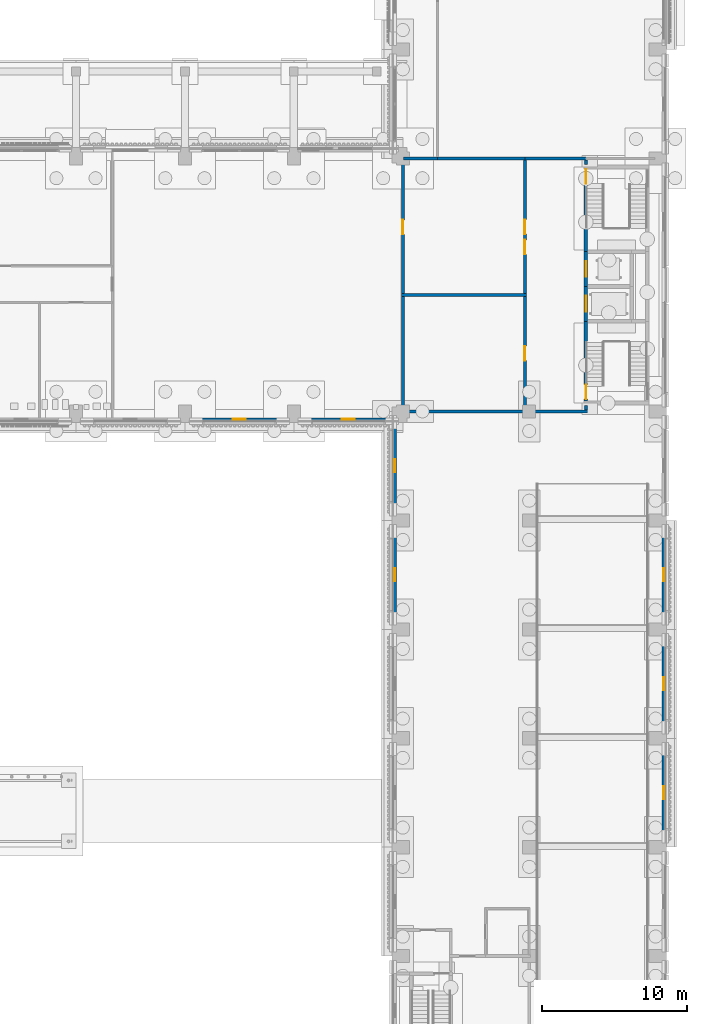
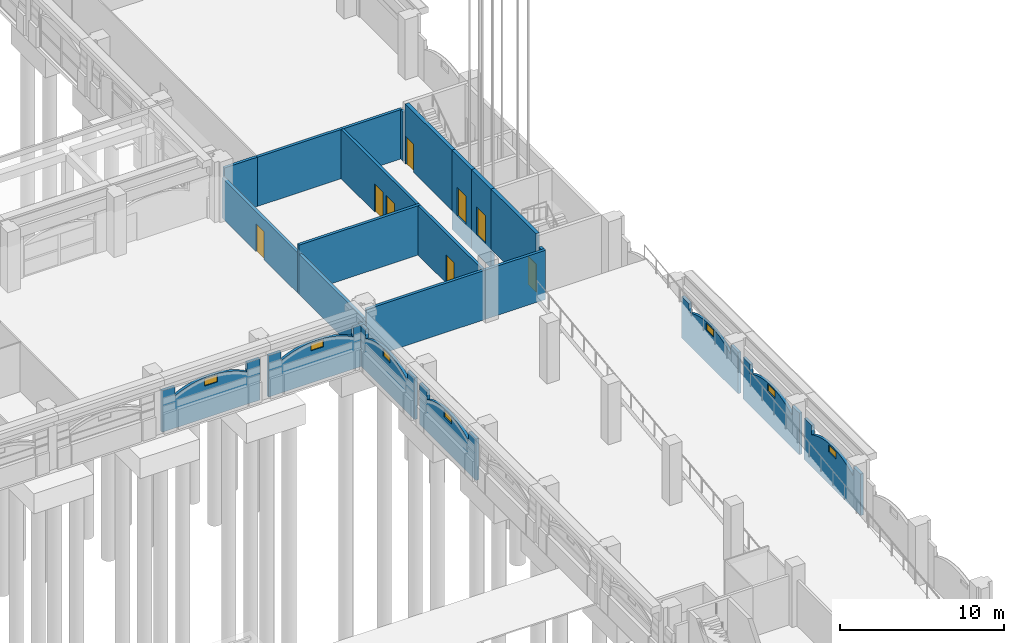
# One storey, part 42 of 99: 23 walls, 8 doors, 7 windows, 15 openings.
"""IFC4 building model written with IfcOpenShell, lengths in metres."""

from ifc_helpers import new_model, si_unit, direction, frame, frame_2d, origin, place, context, subcontext, project, spatial, polyline, rectangle, outline, extrude, material, layer, layer_set, type_object, element, fill, save


model = new_model("IFC4")

# Units and contexts
model_context = context("Model", 3, precision=1e-05, world=origin(), true_north=direction((0.0, 1.0)))
body_context = subcontext(model_context, "Body", "Model", "MODEL_VIEW")
ifc_project = project(units=[si_unit("LENGTHUNIT", "METRE"), si_unit("AREAUNIT", "SQUARE_METRE"), si_unit("VOLUMEUNIT", "CUBIC_METRE"), si_unit("PLANEANGLEUNIT", "RADIAN"), si_unit("MASSUNIT", "GRAM", prefix="KILO")], contexts=[model_context])

# Site, building, storey
site_placement = place(None, origin())
site = spatial("IfcSite", under=ifc_project, at=site_placement, CompositionType="ELEMENT")
building_placement = place(site_placement, origin())
building = spatial("IfcBuilding", under=site, at=building_placement, Name="Cour d'Honneur Mobility Palace", CompositionType="ELEMENT")
storey_placement = place(building_placement, origin())
storey = spatial("IfcBuildingStorey", under=building, at=storey_placement, Name="L00", CompositionType="ELEMENT", Elevation=0.0)

# Wall, opening, window
ifc_material_1 = material(Name="Concrete C40", Category="concrete")
ifc_layer_1 = layer(ifc_material_1, 0.199951171875)
ifc_layer_set_1 = layer_set([ifc_layer_1], Name="Concrete C40")
wall_type_1 = type_object("IfcWallType", Name="Arch infill panel", PredefinedType="SOLIDWALL", material=ifc_layer_set_1)
wall_1_placement = place(storey_placement, frame((130.199951171875, 44.449951171875, 0.0), z_axis=(0.0, 0.0, 1.0), x_axis=(1.0, 0.0, 0.0)))
wall_1 = element("IfcWall", 1, at=wall_1_placement, inside=storey, type_object=wall_type_1, Name="Arch infill panel IP-24", PredefinedType="SOLIDWALL", context=body_context, shape_type="SweptSolid", body=[
    extrude(outline(polyline([(0.0, 0.0), (6.900146484375, 0.0), (6.89990234375, 3.10009765625), (6.001953125, 3.10009765625), (6.0, 2.39990234375), (5.68115234375, 2.560302734375), (5.362548828125, 2.69482421875), (5.043701171875, 2.805908203125), (4.72509765625, 2.895263671875), (4.40625, 2.96337890625), (4.08740234375, 3.01171875), (3.768798828125, 3.04052734375), (3.449951171875, 3.050048828125), (3.13134765625, 3.04052734375), (2.8125, 3.01171875), (2.49365234375, 2.96337890625), (2.175048828125, 2.895263671875), (1.856201171875, 2.805908203125), (1.53759765625, 2.69482421875), (1.21875, 2.560302734375), (0.89990234375, 2.39990234375), (0.89794921875, 3.10009765625), (0.0, 3.10009765625), (0.0, 0.0)])), frame((0.0, 0.10009765625, 0.0), z_axis=(0.0, -1.0, 0.0), x_axis=(1.0, 0.0, 0.0)), (0.0, 0.0, 1.0), 0.199951171875),
])
opening_1_placement = place(wall_1_placement, frame((3.0, 0.0, 2.39990234375)))
opening_1 = element("IfcOpeningElement", 2, at=opening_1_placement, cuts=wall_1, Name="Opening WH-18", PredefinedType="OPENING", context=body_context, shape_type="SweptSolid", body=[
    extrude(rectangle(XDim=0.89990234375, YDim=0.531005859375, at=frame_2d((0.449951171875, 0.265625))), frame((0.0, 0.10986328125, 0.0), z_axis=(0.0, -1.0, 0.0), x_axis=(1.0, 0.0, 0.0)), (0.0, 0.0, 1.0), 0.219970703125),
])
ifc_material_2 = material(Name="Aluminium frame and glass", Category="aluminium")
window_type = type_object("IfcWindowType", Name="High-level window 531", PartitioningType="SINGLE_PANEL", PredefinedType="WINDOW", material=ifc_material_2)
window_1_placement = place(opening_1_placement, origin())
window_1 = element("IfcWindow", 3, at=window_1_placement, inside=storey, type_object=window_type, Name="High-level window 531 WH-18", OverallHeight=0.531005859375, OverallWidth=0.89990234375, PartitioningType="SINGLE_PANEL", PredefinedType="WINDOW", context=body_context, shape_type="SweptSolid", body=[
    extrude(rectangle(XDim=0.89990234375, YDim=0.531005859375, at=frame_2d((0.449951171875, 0.265625))), frame((0.0, 0.030029296875, 0.0), z_axis=(0.0, -1.0, 0.0), x_axis=(1.0, 0.0, 0.0)), (0.0, 0.0, 1.0), 0.06005859375),
])
fill(opening_1, window_1)

wall_2_placement = place(storey_placement, frame((137.699951171875, 44.449951171875, 0.0), z_axis=(0.0, 0.0, 1.0), x_axis=(1.0, 0.0, 0.0)))
wall_2 = element("IfcWall", 4, at=wall_2_placement, inside=storey, type_object=wall_type_1, Name="Arch infill panel IP-25", PredefinedType="SOLIDWALL", context=body_context, shape_type="SweptSolid", body=[
    extrude(outline(polyline([(0.0, 0.0), (6.900146484375, 0.0), (6.89990234375, 3.10009765625), (6.001953125, 3.10009765625), (6.0, 2.39990234375), (5.68115234375, 2.560302734375), (5.362548828125, 2.69482421875), (5.043701171875, 2.805908203125), (4.72509765625, 2.895263671875), (4.40625, 2.96337890625), (4.08740234375, 3.01171875), (3.768798828125, 3.04052734375), (3.449951171875, 3.050048828125), (3.13134765625, 3.04052734375), (2.8125, 3.01171875), (2.49365234375, 2.96337890625), (2.175048828125, 2.895263671875), (1.856201171875, 2.805908203125), (1.53759765625, 2.69482421875), (1.21875, 2.560302734375), (0.89990234375, 2.39990234375), (0.89794921875, 3.10009765625), (0.0, 3.10009765625), (0.0, 0.0)])), frame((0.0, 0.10009765625, 0.0), z_axis=(0.0, -1.0, 0.0), x_axis=(1.0, 0.0, 0.0)), (0.0, 0.0, 1.0), 0.199951171875),
])
opening_2_placement = place(wall_2_placement, frame((3.0, 0.0, 2.39990234375)))
opening_2 = element("IfcOpeningElement", 5, at=opening_2_placement, cuts=wall_2, Name="Opening WH-19", PredefinedType="OPENING", context=body_context, shape_type="SweptSolid", body=[
    extrude(rectangle(XDim=0.89990234375, YDim=0.531005859375, at=frame_2d((0.449951171875, 0.265625))), frame((0.0, 0.10986328125, 0.0), z_axis=(0.0, -1.0, 0.0), x_axis=(1.0, 0.0, 0.0)), (0.0, 0.0, 1.0), 0.219970703125),
])
window_2_placement = place(opening_2_placement, origin())
window_2 = element("IfcWindow", 6, at=window_2_placement, inside=storey, type_object=window_type, Name="High-level window 531 WH-19", OverallHeight=0.531005859375, OverallWidth=0.89990234375, PartitioningType="SINGLE_PANEL", PredefinedType="WINDOW", context=body_context, shape_type="SweptSolid", body=[
    extrude(rectangle(XDim=0.89990234375, YDim=0.531005859375, at=frame_2d((0.449951171875, 0.265625))), frame((0.0, 0.030029296875, 0.0), z_axis=(0.0, -1.0, 0.0), x_axis=(1.0, 0.0, 0.0)), (0.0, 0.0, 1.0), 0.06005859375),
])
fill(opening_2, window_2)

wall_3_placement = place(storey_placement, frame((144.35009765625, 44.699951171875, 0.0), z_axis=(0.0, 0.0, 1.0), x_axis=(0.0, -1.0, 0.0)))
wall_3 = element("IfcWall", 7, at=wall_3_placement, inside=storey, type_object=wall_type_1, Name="Arch infill panel IP-26", PredefinedType="SOLIDWALL", context=body_context, shape_type="SweptSolid", body=[
    extrude(outline(polyline([(0.0, 0.0), (6.89990234375, 0.0), (6.89990234375, 3.10009765625), (6.001953125, 3.10009765625), (6.0, 2.39990234375), (5.68115234375, 2.560302734375), (5.362548828125, 2.69482421875), (5.043701171875, 2.805908203125), (4.72509765625, 2.895263671875), (4.40625, 2.96337890625), (4.08740234375, 3.01171875), (3.768798828125, 3.04052734375), (3.449951171875, 3.050048828125), (3.13134765625, 3.04052734375), (2.8125, 3.01171875), (2.49365234375, 2.96337890625), (2.175048828125, 2.895263671875), (1.856201171875, 2.805908203125), (1.53759765625, 2.69482421875), (1.21875, 2.560302734375), (0.89990234375, 2.39990234375), (0.89794921875, 3.10009765625), (0.0, 3.10009765625), (0.0, 0.0)])), frame((0.0, 0.10009765625, 0.0), z_axis=(0.0, -1.0, 0.0), x_axis=(1.0, 0.0, 0.0)), (0.0, 0.0, 1.0), 0.199951171875),
])
opening_3_placement = place(wall_3_placement, frame((3.0, 0.0, 2.39990234375)))
opening_3 = element("IfcOpeningElement", 8, at=opening_3_placement, cuts=wall_3, Name="Opening WH-20", PredefinedType="OPENING", context=body_context, shape_type="SweptSolid", body=[
    extrude(rectangle(XDim=0.89990234375, YDim=0.531005859375, at=frame_2d((0.449951171875, 0.265625))), frame((0.0, 0.10986328125, 0.0), z_axis=(0.0, -1.0, 0.0), x_axis=(1.0, 0.0, 0.0)), (0.0, 0.0, 1.0), 0.219970703125),
])
window_3_placement = place(opening_3_placement, origin())
window_3 = element("IfcWindow", 9, at=window_3_placement, inside=storey, type_object=window_type, Name="High-level window 531 WH-20", OverallHeight=0.531005859375, OverallWidth=0.89990234375, PartitioningType="SINGLE_PANEL", PredefinedType="WINDOW", context=body_context, shape_type="SweptSolid", body=[
    extrude(rectangle(XDim=0.89990234375, YDim=0.531005859375, at=frame_2d((0.449951171875, 0.265625))), frame((0.0, 0.030029296875, 0.0), z_axis=(0.0, -1.0, 0.0), x_axis=(1.0, 0.0, 0.0)), (0.0, 0.0, 1.0), 0.06005859375),
])
fill(opening_3, window_3)

wall_4_placement = place(storey_placement, frame((144.35009765625, 37.199951171875, 0.0), z_axis=(0.0, 0.0, 1.0), x_axis=(0.0, -1.0, 0.0)))
wall_4 = element("IfcWall", 10, at=wall_4_placement, inside=storey, type_object=wall_type_1, Name="Arch infill panel IP-27", PredefinedType="SOLIDWALL", context=body_context, shape_type="SweptSolid", body=[
    extrude(outline(polyline([(0.0, 0.0), (6.89990234375, 0.0), (6.89990234375, 3.10009765625), (6.001953125, 3.10009765625), (6.0, 2.39990234375), (5.68115234375, 2.560302734375), (5.362548828125, 2.69482421875), (5.043701171875, 2.805908203125), (4.72509765625, 2.895263671875), (4.40625, 2.96337890625), (4.08740234375, 3.01171875), (3.768798828125, 3.04052734375), (3.449951171875, 3.050048828125), (3.13134765625, 3.04052734375), (2.8125, 3.01171875), (2.49365234375, 2.96337890625), (2.175048828125, 2.895263671875), (1.856201171875, 2.805908203125), (1.53759765625, 2.69482421875), (1.21875, 2.560302734375), (0.89990234375, 2.39990234375), (0.89794921875, 3.10009765625), (0.0, 3.10009765625), (0.0, 0.0)])), frame((0.0, 0.10009765625, 0.0), z_axis=(0.0, -1.0, 0.0), x_axis=(1.0, 0.0, 0.0)), (0.0, 0.0, 1.0), 0.199951171875),
])
opening_4_placement = place(wall_4_placement, frame((3.0, 0.0, 2.39990234375)))
opening_4 = element("IfcOpeningElement", 11, at=opening_4_placement, cuts=wall_4, Name="Opening WH-21", PredefinedType="OPENING", context=body_context, shape_type="SweptSolid", body=[
    extrude(rectangle(XDim=0.89990234375, YDim=0.531005859375, at=frame_2d((0.449951171875, 0.265625))), frame((0.0, 0.10986328125, 0.0), z_axis=(0.0, -1.0, 0.0), x_axis=(1.0, 0.0, 0.0)), (0.0, 0.0, 1.0), 0.219970703125),
])
window_4_placement = place(opening_4_placement, origin())
window_4 = element("IfcWindow", 12, at=window_4_placement, inside=storey, type_object=window_type, Name="High-level window 531 WH-21", OverallHeight=0.531005859375, OverallWidth=0.89990234375, PartitioningType="SINGLE_PANEL", PredefinedType="WINDOW", context=body_context, shape_type="SweptSolid", body=[
    extrude(rectangle(XDim=0.89990234375, YDim=0.531005859375, at=frame_2d((0.449951171875, 0.265625))), frame((0.0, 0.030029296875, 0.0), z_axis=(0.0, -1.0, 0.0), x_axis=(1.0, 0.0, 0.0)), (0.0, 0.0, 1.0), 0.06005859375),
])
fill(opening_4, window_4)

wall_5_placement = place(storey_placement, frame((162.85009765625, 15.300048828125, 0.0), z_axis=(0.0, 0.0, 1.0), x_axis=(0.0, 1.0, 0.0)))
wall_5 = element("IfcWall", 13, at=wall_5_placement, inside=storey, type_object=wall_type_1, Name="Arch infill panel IP-36", PredefinedType="SOLIDWALL", context=body_context, shape_type="SweptSolid", body=[
    extrude(outline(polyline([(0.0, 0.0), (6.89990234375, 0.0), (6.89990234375, 3.10009765625), (6.001953125, 3.10009765625), (6.0, 2.39990234375), (5.68115234375, 2.560302734375), (5.362548828125, 2.69482421875), (5.043701171875, 2.805908203125), (4.72509765625, 2.895263671875), (4.40625, 2.96337890625), (4.08740234375, 3.01171875), (3.768798828125, 3.04052734375), (3.449951171875, 3.050048828125), (3.13134765625, 3.04052734375), (2.8125, 3.01171875), (2.49365234375, 2.96337890625), (2.175048828125, 2.895263671875), (1.856201171875, 2.805908203125), (1.53759765625, 2.69482421875), (1.21875, 2.560302734375), (0.89990234375, 2.39990234375), (0.89794921875, 3.10009765625), (0.0, 3.10009765625), (0.0, 0.0)])), frame((0.0, 0.10009765625, 0.0), z_axis=(0.0, -1.0, 0.0), x_axis=(1.0, 0.0, 0.0)), (0.0, 0.0, 1.0), 0.199951171875),
])
opening_5_placement = place(wall_5_placement, frame((3.0, 0.0, 2.39990234375)))
opening_5 = element("IfcOpeningElement", 14, at=opening_5_placement, cuts=wall_5, Name="Opening WH-28", PredefinedType="OPENING", context=body_context, shape_type="SweptSolid", body=[
    extrude(rectangle(XDim=0.89990234375, YDim=0.531005859375, at=frame_2d((0.449951171875, 0.265625))), frame((0.0, 0.10986328125, 0.0), z_axis=(0.0, -1.0, 0.0), x_axis=(1.0, 0.0, 0.0)), (0.0, 0.0, 1.0), 0.219970703125),
])
window_5_placement = place(opening_5_placement, origin())
window_5 = element("IfcWindow", 15, at=window_5_placement, inside=storey, type_object=window_type, Name="High-level window 531 WH-28", OverallHeight=0.531005859375, OverallWidth=0.89990234375, PartitioningType="SINGLE_PANEL", PredefinedType="WINDOW", context=body_context, shape_type="SweptSolid", body=[
    extrude(rectangle(XDim=0.89990234375, YDim=0.531005859375, at=frame_2d((0.449951171875, 0.265625))), frame((0.0, 0.030029296875, 0.0), z_axis=(0.0, -1.0, 0.0), x_axis=(1.0, 0.0, 0.0)), (0.0, 0.0, 1.0), 0.06005859375),
])
fill(opening_5, window_5)

wall_6_placement = place(storey_placement, frame((162.85009765625, 22.800048828125, 0.0), z_axis=(0.0, 0.0, 1.0), x_axis=(0.0, 1.0, 0.0)))
wall_6 = element("IfcWall", 16, at=wall_6_placement, inside=storey, type_object=wall_type_1, Name="Arch infill panel IP-37", PredefinedType="SOLIDWALL", context=body_context, shape_type="SweptSolid", body=[
    extrude(outline(polyline([(0.0, 0.0), (6.89990234375, 0.0), (6.89990234375, 3.10009765625), (6.001953125, 3.10009765625), (6.0, 2.39990234375), (5.68115234375, 2.560302734375), (5.362548828125, 2.69482421875), (5.043701171875, 2.805908203125), (4.72509765625, 2.895263671875), (4.40625, 2.96337890625), (4.08740234375, 3.01171875), (3.768798828125, 3.04052734375), (3.449951171875, 3.050048828125), (3.13134765625, 3.04052734375), (2.8125, 3.01171875), (2.49365234375, 2.96337890625), (2.175048828125, 2.895263671875), (1.856201171875, 2.805908203125), (1.53759765625, 2.69482421875), (1.21875, 2.560302734375), (0.89990234375, 2.39990234375), (0.89794921875, 3.10009765625), (0.0, 3.10009765625), (0.0, 0.0)])), frame((0.0, 0.10009765625, 0.0), z_axis=(0.0, -1.0, 0.0), x_axis=(1.0, 0.0, 0.0)), (0.0, 0.0, 1.0), 0.199951171875),
])
opening_6_placement = place(wall_6_placement, frame((3.0, 0.0, 2.39990234375)))
opening_6 = element("IfcOpeningElement", 17, at=opening_6_placement, cuts=wall_6, Name="Opening WH-29", PredefinedType="OPENING", context=body_context, shape_type="SweptSolid", body=[
    extrude(rectangle(XDim=0.89990234375, YDim=0.531005859375, at=frame_2d((0.449951171875, 0.265625))), frame((0.0, 0.10986328125, 0.0), z_axis=(0.0, -1.0, 0.0), x_axis=(1.0, 0.0, 0.0)), (0.0, 0.0, 1.0), 0.219970703125),
])
window_6_placement = place(opening_6_placement, origin())
window_6 = element("IfcWindow", 18, at=window_6_placement, inside=storey, type_object=window_type, Name="High-level window 531 WH-29", OverallHeight=0.531005859375, OverallWidth=0.89990234375, PartitioningType="SINGLE_PANEL", PredefinedType="WINDOW", context=body_context, shape_type="SweptSolid", body=[
    extrude(rectangle(XDim=0.89990234375, YDim=0.531005859375, at=frame_2d((0.449951171875, 0.265625))), frame((0.0, 0.030029296875, 0.0), z_axis=(0.0, -1.0, 0.0), x_axis=(1.0, 0.0, 0.0)), (0.0, 0.0, 1.0), 0.06005859375),
])
fill(opening_6, window_6)

wall_7_placement = place(storey_placement, frame((162.85009765625, 30.300048828125, 0.0), z_axis=(0.0, 0.0, 1.0), x_axis=(0.0, 1.0, 0.0)))
wall_7 = element("IfcWall", 19, at=wall_7_placement, inside=storey, type_object=wall_type_1, Name="Arch infill panel IP-38", PredefinedType="SOLIDWALL", context=body_context, shape_type="SweptSolid", body=[
    extrude(outline(polyline([(0.0, 0.0), (6.89990234375, 0.0), (6.89990234375, 3.10009765625), (6.001953125, 3.10009765625), (6.0, 2.39990234375), (5.68115234375, 2.560302734375), (5.362548828125, 2.69482421875), (5.043701171875, 2.805908203125), (4.72509765625, 2.895263671875), (4.40625, 2.96337890625), (4.08740234375, 3.01171875), (3.768798828125, 3.04052734375), (3.449951171875, 3.050048828125), (3.13134765625, 3.04052734375), (2.8125, 3.01171875), (2.49365234375, 2.96337890625), (2.175048828125, 2.895263671875), (1.856201171875, 2.805908203125), (1.53759765625, 2.69482421875), (1.21875, 2.560302734375), (0.89990234375, 2.39990234375), (0.89794921875, 3.10009765625), (0.0, 3.10009765625), (0.0, 0.0)])), frame((0.0, 0.10009765625, 0.0), z_axis=(0.0, -1.0, 0.0), x_axis=(1.0, 0.0, 0.0)), (0.0, 0.0, 1.0), 0.199951171875),
])
opening_7_placement = place(wall_7_placement, frame((3.0, 0.0, 2.39990234375)))
opening_7 = element("IfcOpeningElement", 20, at=opening_7_placement, cuts=wall_7, Name="Opening WH-30", PredefinedType="OPENING", context=body_context, shape_type="SweptSolid", body=[
    extrude(rectangle(XDim=0.89990234375, YDim=0.531005859375, at=frame_2d((0.449951171875, 0.265625))), frame((0.0, 0.10986328125, 0.0), z_axis=(0.0, -1.0, 0.0), x_axis=(1.0, 0.0, 0.0)), (0.0, 0.0, 1.0), 0.219970703125),
])
window_7_placement = place(opening_7_placement, origin())
window_7 = element("IfcWindow", 21, at=window_7_placement, inside=storey, type_object=window_type, Name="High-level window 531 WH-30", OverallHeight=0.531005859375, OverallWidth=0.89990234375, PartitioningType="SINGLE_PANEL", PredefinedType="WINDOW", context=body_context, shape_type="SweptSolid", body=[
    extrude(rectangle(XDim=0.89990234375, YDim=0.531005859375, at=frame_2d((0.449951171875, 0.265625))), frame((0.0, 0.030029296875, 0.0), z_axis=(0.0, -1.0, 0.0), x_axis=(1.0, 0.0, 0.0)), (0.0, 0.0, 1.0), 0.06005859375),
])
fill(opening_7, window_7)

# Wall, opening, door
ifc_material_3 = material(Name="Concrete C50", Category="concrete")
ifc_layer_2 = layer(ifc_material_3, 0.25)
ifc_layer_set_2 = layer_set([ifc_layer_2], Name="Concrete C50")
wall_type_2 = type_object("IfcWallType", Name="Lift shaft wall 250", PredefinedType="SHEAR", material=ifc_layer_set_2)
wall_8_placement = place(storey_placement, frame((157.5, 51.199951171875, -1.39990234375), z_axis=(0.0, 0.0, 1.0), x_axis=(0.0, 1.0, 0.0)))
wall_8 = element("IfcWall", 22, at=wall_8_placement, inside=storey, type_object=wall_type_2, Name="Lift shaft wall WL-CE9 L00", PredefinedType="SHEAR", context=body_context, shape_type="SweptSolid", body=[
    extrude(rectangle(XDim=2.400146484375, YDim=0.25, at=frame_2d((1.2001953125, 0.0))), origin(), (0.0, 0.0, 1.0), 5.89990234375),
])
opening_8_placement = place(wall_8_placement, frame((0.64990234375, 0.0, 1.39990234375)))
opening_8 = element("IfcOpeningElement", 23, at=opening_8_placement, cuts=wall_8, Name="Opening LD21", PredefinedType="OPENING", context=body_context, shape_type="SweptSolid", body=[
    extrude(rectangle(XDim=1.10009765625, YDim=2.10009765625, at=frame_2d((0.550048828125, 1.050048828125))), frame((0.0, 0.135009765625, 0.0), z_axis=(0.0, -1.0, 0.0), x_axis=(1.0, 0.0, 0.0)), (0.0, 0.0, 1.0), 0.27001953125),
])
ifc_material_4 = material(Name="Stainless steel", Category="steel")
door_type_1 = type_object("IfcDoorType", Name="Landing door 1100 x 2100", OperationType="SLIDING_TO_LEFT", PredefinedType="DOOR", material=ifc_material_4)
door_1_placement = place(opening_8_placement, origin())
door_1 = element("IfcDoor", 24, at=door_1_placement, inside=storey, type_object=door_type_1, Name="Landing door LF-CE1 L00", OperationType="SLIDING_TO_LEFT", OverallHeight=2.10009765625, OverallWidth=1.10009765625, PredefinedType="DOOR", context=body_context, shape_type="SweptSolid", body=[
    extrude(rectangle(XDim=1.10009765625, YDim=2.10009765625, at=frame_2d((0.550048828125, 1.050048828125))), frame((0.0, 0.02490234375, 0.0), z_axis=(0.0, -1.0, 0.0), x_axis=(1.0, 0.0, 0.0)), (0.0, 0.0, 1.0), 0.050048828125),
])
fill(opening_8, door_1)

wall_9_placement = place(storey_placement, frame((157.5, 53.60009765625, -1.39990234375), z_axis=(0.0, 0.0, 1.0), x_axis=(0.0, 1.0, 0.0)))
wall_9 = element("IfcWall", 25, at=wall_9_placement, inside=storey, type_object=wall_type_2, Name="Lift shaft wall WL-CE10 L00", PredefinedType="SHEAR", context=body_context, shape_type="SweptSolid", body=[
    extrude(rectangle(XDim=2.39990234375, YDim=0.25, at=frame_2d((1.199951171875, 0.0))), origin(), (0.0, 0.0, 1.0), 5.89990234375),
])
opening_9_placement = place(wall_9_placement, frame((0.64990234375, 0.0, 1.39990234375)))
opening_9 = element("IfcOpeningElement", 26, at=opening_9_placement, cuts=wall_9, Name="Opening LD31", PredefinedType="OPENING", context=body_context, shape_type="SweptSolid", body=[
    extrude(rectangle(XDim=1.10009765625, YDim=2.10009765625, at=frame_2d((0.550048828125, 1.050048828125))), frame((0.0, 0.135009765625, 0.0), z_axis=(0.0, -1.0, 0.0), x_axis=(1.0, 0.0, 0.0)), (0.0, 0.0, 1.0), 0.27001953125),
])
door_2_placement = place(opening_9_placement, origin())
door_2 = element("IfcDoor", 27, at=door_2_placement, inside=storey, type_object=door_type_1, Name="Landing door LF-CE2 L00", OperationType="SLIDING_TO_LEFT", OverallHeight=2.10009765625, OverallWidth=1.10009765625, PredefinedType="DOOR", context=body_context, shape_type="SweptSolid", body=[
    extrude(rectangle(XDim=1.10009765625, YDim=2.10009765625, at=frame_2d((0.550048828125, 1.050048828125))), frame((0.0, 0.02490234375, 0.0), z_axis=(0.0, -1.0, 0.0), x_axis=(1.0, 0.0, 0.0)), (0.0, 0.0, 1.0), 0.050048828125),
])
fill(opening_9, door_2)

# Walls
ifc_material_5 = material(Name="Gypsum plasterboard")
ifc_layer_3 = layer(ifc_material_5, 0.199951171875)
ifc_layer_set_3 = layer_set([ifc_layer_3], Name="Gypsum plasterboard")
wall_type_3 = type_object("IfcWallType", Name="Partition 200 rated EI 120", PredefinedType="PARTITIONING", material=ifc_layer_set_3)
wall_10_placement = place(storey_placement, frame((144.9599609375, 45.0, 0.0), z_axis=(0.0, 0.0, 1.0), x_axis=(1.0, 0.0, 0.0)))
element("IfcWall", 28, at=wall_10_placement, inside=storey, type_object=wall_type_3, Name="Partition 026", PredefinedType="PARTITIONING", context=body_context, shape_type="SweptSolid", body=[
    extrude(rectangle(XDim=8.340087890625, YDim=0.199951171875, at=frame_2d((4.169921875, 0.0))), origin(), (0.0, 0.0, 1.0), 3.679931640625),
])
wall_11_placement = place(storey_placement, frame((153.300048828125, 45.0, 0.0), z_axis=(0.0, 0.0, 1.0), x_axis=(1.0, 0.0, 0.0)))
element("IfcWall", 29, at=wall_11_placement, inside=storey, type_object=wall_type_3, Name="Partition 027", PredefinedType="PARTITIONING", context=body_context, shape_type="SweptSolid", body=[
    extrude(rectangle(XDim=4.300048828125, YDim=0.199951171875, at=frame_2d((2.14990234375, 0.0))), origin(), (0.0, 0.0, 1.0), 3.679931640625),
])
wall_12_placement = place(storey_placement, frame((157.5, 45.10009765625, 0.0), z_axis=(0.0, 0.0, 1.0), x_axis=(0.0, 1.0, 0.0)))
element("IfcWall", 30, at=wall_12_placement, inside=storey, type_object=wall_type_3, Name="Partition 028", PredefinedType="PARTITIONING", context=body_context, shape_type="SweptSolid", body=[
    extrude(rectangle(XDim=0.2998046875, YDim=0.199951171875, at=frame_2d((0.14990234375, 0.0))), origin(), (0.0, 0.0, 1.0), 3.679931640625),
])

# Wall, opening, door
wall_13_placement = place(storey_placement, frame((153.300048828125, 52.89990234375, 0.0), z_axis=(0.0, 0.0, 1.0), x_axis=(0.0, -1.0, 0.0)))
wall_13 = element("IfcWall", 31, at=wall_13_placement, inside=storey, type_object=wall_type_3, Name="Partition 072", PredefinedType="PARTITIONING", context=body_context, shape_type="SweptSolid", body=[
    extrude(rectangle(XDim=7.7998046875, YDim=0.199951171875, at=frame_2d((3.89990234375, 0.0))), origin(), (0.0, 0.0, 1.0), 3.679931640625),
])
opening_10_placement = place(wall_13_placement, frame((3.39990234375, 0.0, 0.0)))
opening_10 = element("IfcOpeningElement", 32, at=opening_10_placement, cuts=wall_13, Name="Opening D0013", PredefinedType="OPENING", context=body_context, shape_type="SweptSolid", body=[
    extrude(rectangle(XDim=1.0, YDim=2.10009765625, at=frame_2d((0.5, 1.050048828125))), frame((0.0, 0.10986328125, 0.0), z_axis=(0.0, -1.0, 0.0), x_axis=(1.0, 0.0, 0.0)), (0.0, 0.0, 1.0), 0.219970703125),
])
ifc_material_6 = material(Name="Galvanised steel", Category="steel")
door_type_2 = type_object("IfcDoorType", Name="Fire door FD120 1000 x 2100", OperationType="SINGLE_SWING_LEFT", PredefinedType="DOOR", material=ifc_material_6)
door_3_placement = place(opening_10_placement, origin())
door_3 = element("IfcDoor", 33, at=door_3_placement, inside=storey, type_object=door_type_2, Name="Door Generator Room", OperationType="SINGLE_SWING_LEFT", OverallHeight=2.10009765625, OverallWidth=1.0, PredefinedType="DOOR", context=body_context, shape_type="SweptSolid", body=[
    extrude(rectangle(XDim=1.0, YDim=2.10009765625, at=frame_2d((0.5, 1.050048828125))), frame((0.0, 0.02490234375, 0.0), z_axis=(0.0, -1.0, 0.0), x_axis=(1.0, 0.0, 0.0)), (0.0, 0.0, 1.0), 0.050048828125),
])
fill(opening_10, door_3)

# Walls
wall_14_placement = place(storey_placement, frame((153.39990234375, 53.0, 0.0), z_axis=(0.0, 0.0, 1.0), x_axis=(-1.0, 0.0, 0.0)))
element("IfcWall", 34, at=wall_14_placement, inside=storey, type_object=wall_type_3, Name="Partition 073", PredefinedType="PARTITIONING", context=body_context, shape_type="SweptSolid", body=[
    extrude(rectangle(XDim=8.599853515625, YDim=0.199951171875, at=frame_2d((4.2998046875, 0.0))), origin(), (0.0, 0.0, 1.0), 3.679931640625),
])
wall_15_placement = place(storey_placement, frame((157.5, 62.0, 0.0), z_axis=(0.0, 0.0, 1.0), x_axis=(0.0, 1.0, 0.0)))
element("IfcWall", 35, at=wall_15_placement, inside=storey, type_object=wall_type_3, Name="Partition 085", PredefinedType="PARTITIONING", context=body_context, shape_type="SweptSolid", body=[
    extrude(rectangle(XDim=0.300048828125, YDim=0.199951171875, at=frame_2d((0.14990234375, 0.0))), origin(), (0.0, 0.0, 1.0), 3.679931640625),
])
wall_16_placement = place(storey_placement, frame((147.300048828125, 62.39990234375, 0.0), z_axis=(0.0, 0.0, 1.0), x_axis=(-1.0, 0.0, 0.0)))
element("IfcWall", 36, at=wall_16_placement, inside=storey, type_object=wall_type_3, Name="Partition 095", PredefinedType="PARTITIONING", context=body_context, shape_type="SweptSolid", body=[
    extrude(rectangle(XDim=2.340087890625, YDim=0.199951171875, at=frame_2d((1.169921875, 0.0))), origin(), (0.0, 0.0, 1.0), 3.679931640625),
])

# Wall, openings, doors
wall_17_placement = place(storey_placement, frame((153.300048828125, 62.300048828125, 0.0), z_axis=(0.0, 0.0, 1.0), x_axis=(0.0, -1.0, 0.0)))
wall_17 = element("IfcWall", 37, at=wall_17_placement, inside=storey, type_object=wall_type_3, Name="Partition 096", PredefinedType="PARTITIONING", context=body_context, shape_type="SweptSolid", body=[
    extrude(rectangle(XDim=9.199951171875, YDim=0.199951171875, at=frame_2d((4.60009765625, 0.0))), origin(), (0.0, 0.0, 1.0), 3.679931640625),
])
opening_11_placement = place(wall_17_placement, frame((4.10009765625, 0.0, 0.0)))
opening_11 = element("IfcOpeningElement", 38, at=opening_11_placement, cuts=wall_17, Name="Opening D0014", PredefinedType="OPENING", context=body_context, shape_type="SweptSolid", body=[
    extrude(rectangle(XDim=1.0, YDim=2.10009765625, at=frame_2d((0.5, 1.050048828125))), frame((0.0, 0.10986328125, 0.0), z_axis=(0.0, -1.0, 0.0), x_axis=(1.0, 0.0, 0.0)), (0.0, 0.0, 1.0), 0.219970703125),
])
opening_12_placement = place(wall_17_placement, frame((5.5, 0.0, 0.0)))
opening_12 = element("IfcOpeningElement", 39, at=opening_12_placement, cuts=wall_17, Name="Opening D0048", PredefinedType="OPENING", context=body_context, shape_type="SweptSolid", body=[
    extrude(rectangle(XDim=1.0, YDim=2.10009765625, at=frame_2d((0.5, 1.050048828125))), frame((0.0, 0.10986328125, 0.0), z_axis=(0.0, -1.0, 0.0), x_axis=(1.0, 0.0, 0.0)), (0.0, 0.0, 1.0), 0.219970703125),
])
door_4_placement = place(opening_11_placement, origin())
door_4 = element("IfcDoor", 40, at=door_4_placement, inside=storey, type_object=door_type_2, Name="Door Plant Room East", OperationType="SINGLE_SWING_LEFT", OverallHeight=2.10009765625, OverallWidth=1.0, PredefinedType="DOOR", context=body_context, shape_type="SweptSolid", body=[
    extrude(rectangle(XDim=1.0, YDim=2.10009765625, at=frame_2d((0.5, 1.050048828125))), frame((0.0, 0.02490234375, 0.0), z_axis=(0.0, -1.0, 0.0), x_axis=(1.0, 0.0, 0.0)), (0.0, 0.0, 1.0), 0.050048828125),
])
fill(opening_11, door_4)
door_5_placement = place(opening_12_placement, origin())
door_5 = element("IfcDoor", 41, at=door_5_placement, inside=storey, type_object=door_type_2, Name="Door Firefighting Lobby CE", OperationType="SINGLE_SWING_RIGHT", OverallHeight=2.10009765625, OverallWidth=1.0, PredefinedType="DOOR", context=body_context, shape_type="SweptSolid", body=[
    extrude(rectangle(XDim=1.0, YDim=2.10009765625, at=frame_2d((0.5, 1.050048828125))), frame((0.0, 0.02490234375, 0.0), z_axis=(0.0, -1.0, 0.0), x_axis=(1.0, 0.0, 0.0)), (0.0, 0.0, 1.0), 0.050048828125),
])
fill(opening_12, door_5)

# Walls
wall_18_placement = place(storey_placement, frame((153.300048828125, 62.39990234375, 0.0), z_axis=(0.0, 0.0, 1.0), x_axis=(-1.0, 0.0, 0.0)))
element("IfcWall", 42, at=wall_18_placement, inside=storey, type_object=wall_type_3, Name="Partition 097", PredefinedType="PARTITIONING", context=body_context, shape_type="SweptSolid", body=[
    extrude(rectangle(XDim=6.0, YDim=0.199951171875, at=frame_2d((3.0, 0.0))), origin(), (0.0, 0.0, 1.0), 3.679931640625),
])
wall_19_placement = place(storey_placement, frame((157.5, 62.39990234375, 0.0), z_axis=(0.0, 0.0, 1.0), x_axis=(-1.0, 0.0, 0.0)))
element("IfcWall", 43, at=wall_19_placement, inside=storey, type_object=wall_type_3, Name="Partition 098", PredefinedType="PARTITIONING", context=body_context, shape_type="SweptSolid", body=[
    extrude(rectangle(XDim=4.199951171875, YDim=0.199951171875, at=frame_2d((2.10009765625, 0.0))), origin(), (0.0, 0.0, 1.0), 3.679931640625),
])
ifc_material_7 = material(Name="Gypsum plasterboard")
ifc_layer_4 = layer(ifc_material_7, 0.199951171875)
ifc_layer_set_4 = layer_set([ifc_layer_4], Name="Gypsum plasterboard")
wall_type_4 = type_object("IfcWallType", Name="Partition 200 rated EI 120 under beam 1500", PredefinedType="PARTITIONING", material=ifc_layer_set_4)
wall_20_placement = place(storey_placement, frame((144.89990234375, 52.89990234375, 0.0), z_axis=(0.0, 0.0, 1.0), x_axis=(0.0, -1.0, 0.0)))
element("IfcWall", 44, at=wall_20_placement, inside=storey, type_object=wall_type_4, Name="Partition 071", PredefinedType="PARTITIONING", context=body_context, shape_type="SweptSolid", body=[
    extrude(rectangle(XDim=7.83984375, YDim=0.199951171875, at=frame_2d((3.919921875, 0.0))), origin(), (0.0, 0.0, 1.0), 3.0),
])

# Wall, opening, door
wall_21_placement = place(storey_placement, frame((144.89990234375, 62.340087890625, 0.0), z_axis=(0.0, 0.0, 1.0), x_axis=(0.0, -1.0, 0.0)))
wall_21 = element("IfcWall", 45, at=wall_21_placement, inside=storey, type_object=wall_type_4, Name="Partition 088", PredefinedType="PARTITIONING", context=body_context, shape_type="SweptSolid", body=[
    extrude(rectangle(XDim=9.239990234375, YDim=0.199951171875, at=frame_2d((4.6201171875, 0.0))), origin(), (0.0, 0.0, 1.0), 3.0),
])
opening_13_placement = place(wall_21_placement, frame((4.15283203125, 0.0, 0.0)))
opening_13 = element("IfcOpeningElement", 46, at=opening_13_placement, cuts=wall_21, Name="Opening D0052", PredefinedType="OPENING", context=body_context, shape_type="SweptSolid", body=[
    extrude(rectangle(XDim=1.0, YDim=2.10009765625, at=frame_2d((0.5, 1.050048828125))), frame((0.0, 0.10986328125, 0.0), z_axis=(0.0, -1.0, 0.0), x_axis=(1.0, 0.0, 0.0)), (0.0, 0.0, 1.0), 0.219970703125),
])
door_6_placement = place(opening_13_placement, origin())
door_6 = element("IfcDoor", 47, at=door_6_placement, inside=storey, type_object=door_type_2, Name="Door Lift Lobby", OperationType="SINGLE_SWING_LEFT", OverallHeight=2.10009765625, OverallWidth=1.0, PredefinedType="DOOR", context=body_context, shape_type="SweptSolid", body=[
    extrude(rectangle(XDim=1.0, YDim=2.10009765625, at=frame_2d((0.5, 1.050048828125))), frame((0.0, 0.02490234375, 0.0), z_axis=(0.0, -1.0, 0.0), x_axis=(1.0, 0.0, 0.0)), (0.0, 0.0, 1.0), 0.050048828125),
])
fill(opening_13, door_6)

ifc_material_8 = material(Name="Concrete C50", Category="concrete")
ifc_layer_5 = layer(ifc_material_8, 0.25)
ifc_layer_set_5 = layer_set([ifc_layer_5], Name="Concrete C50")
wall_type_5 = type_object("IfcWallType", Name="Stair wall 250", PredefinedType="SHEAR", material=ifc_layer_set_5)
wall_22_placement = place(storey_placement, frame((157.5, 45.699951171875, 0.0), z_axis=(0.0, 0.0, 1.0), x_axis=(0.0, 1.0, 0.0)))
wall_22 = element("IfcWall", 48, at=wall_22_placement, inside=storey, type_object=wall_type_5, Name="Stair wall WS-CE8 L00", PredefinedType="SHEAR", context=body_context, shape_type="SweptSolid", body=[
    extrude(rectangle(XDim=5.5, YDim=0.25, at=frame_2d((2.75, 0.0))), origin(), (0.0, 0.0, 1.0), 4.5),
])
opening_14_placement = place(wall_22_placement, frame((0.14990234375, 0.0, 0.0)))
opening_14 = element("IfcOpeningElement", 49, at=opening_14_placement, cuts=wall_22, Name="Opening S139", PredefinedType="OPENING", context=body_context, shape_type="SweptSolid", body=[
    extrude(rectangle(XDim=1.0, YDim=2.10009765625, at=frame_2d((0.5, 1.050048828125))), frame((0.0, 0.135009765625, 0.0), z_axis=(0.0, -1.0, 0.0), x_axis=(1.0, 0.0, 0.0)), (0.0, 0.0, 1.0), 0.27001953125),
])
ifc_material_9 = material(Name="Galvanised steel", Category="steel")
door_type_3 = type_object("IfcDoorType", Name="Fire door FD120 stair 1000 x 2100", OperationType="SINGLE_SWING_LEFT", PredefinedType="DOOR", material=ifc_material_9)
door_7_placement = place(opening_14_placement, origin())
door_7 = element("IfcDoor", 50, at=door_7_placement, inside=storey, type_object=door_type_3, Name="Stair door ST-CE1 L00", OperationType="SINGLE_SWING_LEFT", OverallHeight=2.10009765625, OverallWidth=1.0, PredefinedType="DOOR", context=body_context, shape_type="SweptSolid", body=[
    extrude(rectangle(XDim=1.0, YDim=2.10009765625, at=frame_2d((0.5, 1.050048828125))), frame((0.0, 0.02490234375, 0.0), z_axis=(0.0, -1.0, 0.0), x_axis=(1.0, 0.0, 0.0)), (0.0, 0.0, 1.0), 0.050048828125),
])
fill(opening_14, door_7)

wall_23_placement = place(storey_placement, frame((157.5, 56.0, 0.0), z_axis=(0.0, 0.0, 1.0), x_axis=(0.0, 1.0, 0.0)))
wall_23 = element("IfcWall", 51, at=wall_23_placement, inside=storey, type_object=wall_type_5, Name="Stair wall WS-CE11 L00", PredefinedType="SHEAR", context=body_context, shape_type="SweptSolid", body=[
    extrude(rectangle(XDim=5.699951171875, YDim=0.25, at=frame_2d((2.85009765625, 0.0))), origin(), (0.0, 0.0, 1.0), 4.5),
])
opening_15_placement = place(wall_23_placement, frame((4.675048828125, 0.0, 0.0)))
opening_15 = element("IfcOpeningElement", 52, at=opening_15_placement, cuts=wall_23, Name="Opening S75", PredefinedType="OPENING", context=body_context, shape_type="SweptSolid", body=[
    extrude(rectangle(XDim=1.0, YDim=2.10009765625, at=frame_2d((0.5, 1.050048828125))), frame((0.0, 0.135009765625, 0.0), z_axis=(0.0, -1.0, 0.0), x_axis=(1.0, 0.0, 0.0)), (0.0, 0.0, 1.0), 0.27001953125),
])
door_8_placement = place(opening_15_placement, origin())
door_8 = element("IfcDoor", 53, at=door_8_placement, inside=storey, type_object=door_type_3, Name="Stair door ST-CE2 L00", OperationType="SINGLE_SWING_RIGHT", OverallHeight=2.10009765625, OverallWidth=1.0, PredefinedType="DOOR", context=body_context, shape_type="SweptSolid", body=[
    extrude(rectangle(XDim=1.0, YDim=2.10009765625, at=frame_2d((0.5, 1.050048828125))), frame((0.0, 0.02490234375, 0.0), z_axis=(0.0, -1.0, 0.0), x_axis=(1.0, 0.0, 0.0)), (0.0, 0.0, 1.0), 0.050048828125),
])
fill(opening_15, door_8)

save(model, "model.ifc")
